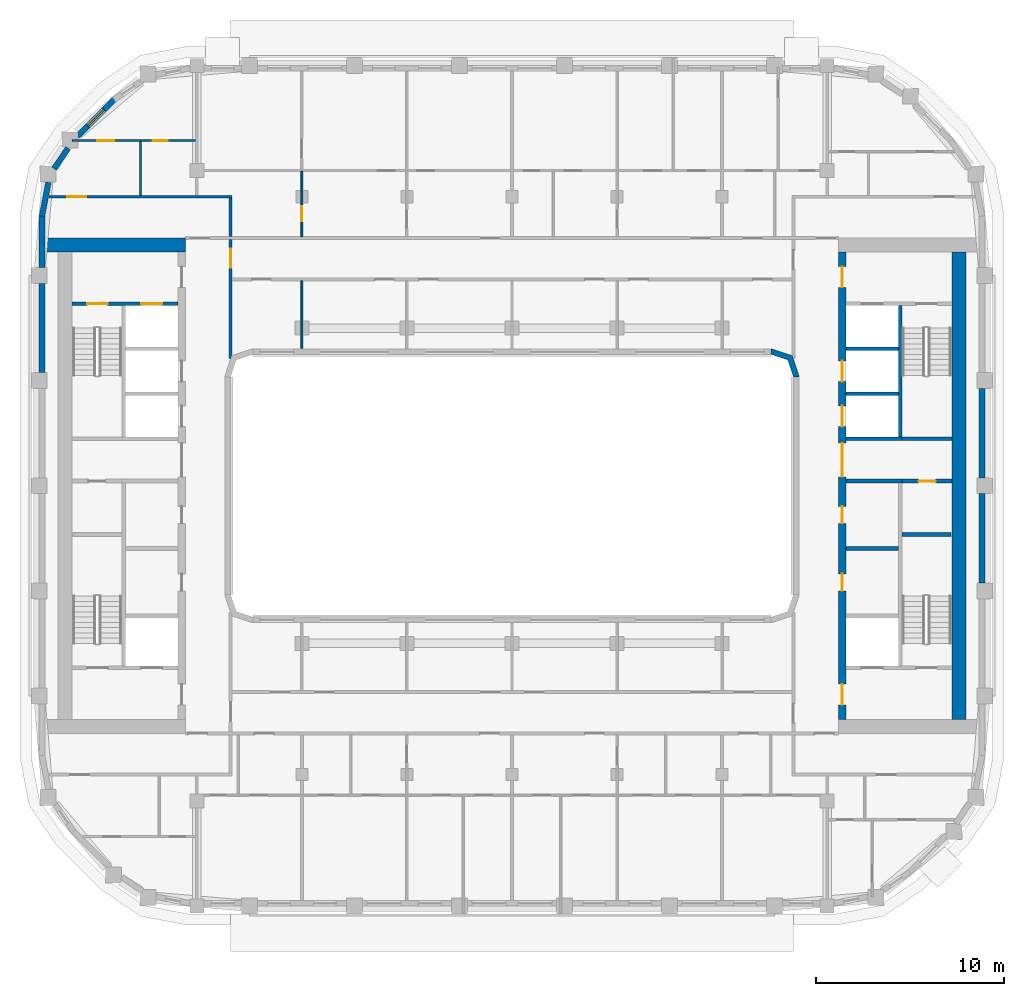
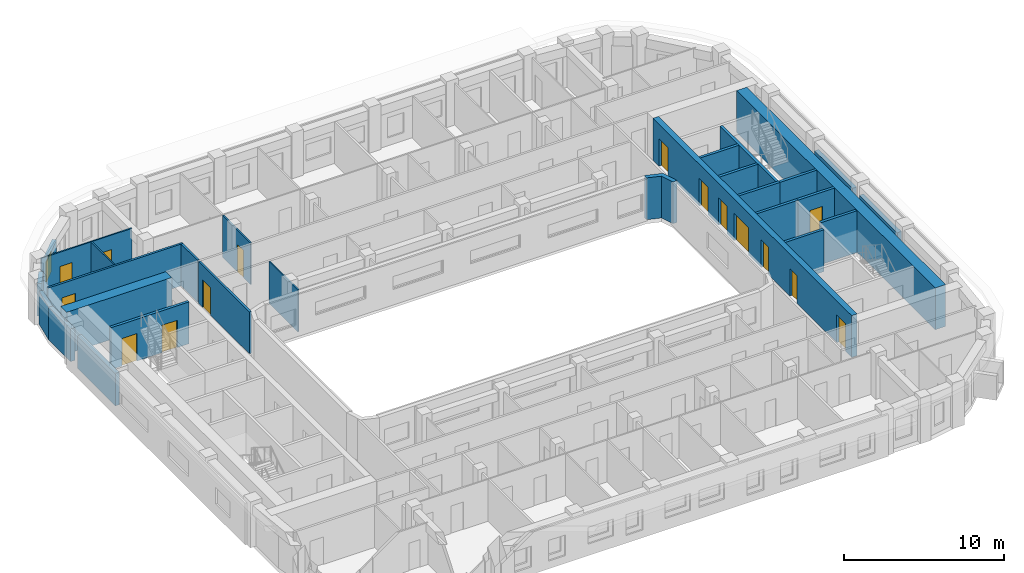
# One storey, part 6 of 21: 28 walls, 15 doors, 1 window, 16 openings.
"""IFC4 building model written with IfcOpenShell, lengths in metres."""

from ifc_helpers import new_model, si_unit, direction, frame, frame_2d, origin, place, context, subcontext, project, spatial, polyline, rectangle, outline, extrude, material, layer, layer_set, type_object, element, fill, save


model = new_model("IFC4")

# Units and contexts
model_context = context("Model", 3, precision=1e-05, world=origin(), true_north=direction((0.0, 1.0)))
body_context = subcontext(model_context, "Body", "Model", "MODEL_VIEW")
ifc_project = project(units=[si_unit("LENGTHUNIT", "METRE"), si_unit("AREAUNIT", "SQUARE_METRE"), si_unit("VOLUMEUNIT", "CUBIC_METRE"), si_unit("PLANEANGLEUNIT", "RADIAN"), si_unit("MASSUNIT", "GRAM", prefix="KILO")], contexts=[model_context])

# Site, building, storey
site_placement = place(None, origin())
site = spatial("IfcSite", under=ifc_project, at=site_placement, CompositionType="ELEMENT")
building_placement = place(site_placement, origin())
building = spatial("IfcBuilding", under=site, at=building_placement, Name="Kiln Ring Residences", CompositionType="ELEMENT")
storey_placement = place(building_placement, frame((0.0, 0.0, 220.39990234375)))
storey = spatial("IfcBuildingStorey", under=building, at=storey_placement, Name="L57", CompositionType="ELEMENT", Elevation=220.39990234375)

# Wall, opening, door
ifc_material_1 = material(Name="Gypsum board on steel studs", Category="steel")
ifc_layer_1 = layer(ifc_material_1, 0.199951171875)
ifc_layer_set_1 = layer_set([ifc_layer_1], Name="CORE-PARTITION-200")
wall_type_1 = type_object("IfcWallType", Name="CORE-PARTITION-200", PredefinedType="PARTITIONING", material=ifc_layer_set_1)
wall_1_placement = place(storey_placement, frame((20.800048828125, 0.25, 0.0), z_axis=(0.0, 0.0, 1.0), x_axis=(1.0, 0.0, 0.0)))
wall_1 = element("IfcWall", 1, at=wall_1_placement, inside=storey, type_object=wall_type_1, Name="Core partition east L57 1", PredefinedType="PARTITIONING", context=body_context, shape_type="SweptSolid", body=[
    extrude(rectangle(XDim=2.64990234375, YDim=0.199951171875, at=frame_2d((1.324951171875, 0.0))), origin(), (0.0, 0.0, 1.0), 3.2001953125),
])
opening_1_placement = place(wall_1_placement, frame((0.875, 0.0, 0.0)))
opening_1 = element("IfcOpeningElement", 2, at=opening_1_placement, cuts=wall_1, Name="Opening L57-CE12", PredefinedType="OPENING", context=body_context, shape_type="SweptSolid", body=[
    extrude(rectangle(XDim=0.89990234375, YDim=2.10009765625, at=frame_2d((0.449951171875, 1.050048828125))), frame((0.0, 0.10986328125, 0.0), z_axis=(0.0, -1.0, 0.0), x_axis=(1.0, 0.0, 0.0)), (0.0, 0.0, 1.0), 0.219970703125),
])
ifc_material_2 = material(Name="Steel door leaf", Category="steel")
door_type_1 = type_object("IfcDoorType", Name="CORE-DOOR-ROOM", OperationType="SINGLE_SWING_LEFT", PredefinedType="DOOR", material=ifc_material_2)
door_1_placement = place(opening_1_placement, origin())
door_1 = element("IfcDoor", 3, at=door_1_placement, inside=storey, type_object=door_type_1, Name="Cleaner's store L57-CE12", OperationType="SINGLE_SWING_LEFT", OverallHeight=2.10009765625, OverallWidth=0.89990234375, PredefinedType="DOOR", context=body_context, shape_type="SweptSolid", body=[
    extrude(rectangle(XDim=0.89990234375, YDim=2.10009765625, at=frame_2d((0.449951171875, 1.050048828125))), frame((0.0, 0.02490234375, 0.0), z_axis=(0.0, -1.0, 0.0), x_axis=(1.0, 0.0, 0.0)), (0.0, 0.0, 1.0), 0.050048828125),
])
fill(opening_1, door_1)

# Walls
wall_2_placement = place(storey_placement, frame((17.800048828125, -3.35009765625, 0.0), z_axis=(0.0, 0.0, 1.0), x_axis=(1.0, 0.0, 0.0)))
element("IfcWall", 4, at=wall_2_placement, inside=storey, type_object=wall_type_1, Name="Core partition east L57 2", PredefinedType="PARTITIONING", context=body_context, shape_type="SweptSolid", body=[
    extrude(rectangle(XDim=2.800048828125, YDim=0.199951171875, at=frame_2d((1.39990234375, 0.0))), origin(), (0.0, 0.0, 1.0), 3.2001953125),
])
ifc_material_3 = material(Name="Gypsum shaft wall system")
ifc_layer_2 = layer(ifc_material_3, 0.199951171875)
ifc_layer_set_2 = layer_set([ifc_layer_2], Name="CORE-SHAFT-WALL-200")
wall_type_2 = type_object("IfcWallType", Name="CORE-SHAFT-WALL-200", PredefinedType="PARTITIONING", material=ifc_layer_set_2)
for number, where, z_axis, x_axis, name in (
    (5, (17.800048828125, 0.25, 0.0), (0.0, 0.0, 1.0), (1.0, 0.0, 0.0), "Core partition east L57 4"),
    (6, (17.800048828125, 2.5, 0.0), (0.0, 0.0, 1.0), (1.0, 0.0, 0.0), "Core partition east L57 5"),
):
    element("IfcWall", number, at=place(storey_placement, frame(where, z_axis=z_axis, x_axis=x_axis)), inside=storey, type_object=wall_type_2, Name=name, PredefinedType="PARTITIONING", context=body_context, shape_type="SweptSolid", body=[
        extrude(rectangle(XDim=3.0, YDim=0.199951171875, at=frame_2d((1.5, 0.0))), origin(), (0.0, 0.0, 1.0), 3.2001953125),
    ])
for number, where, z_axis, x_axis, name in (
    (7, (17.800048828125, 4.89990234375, 0.0), (0.0, 0.0, 1.0), (1.0, 0.0, 0.0), "Core partition east L57 6"),
    (8, (17.800048828125, 7.300048828125, 0.0), (0.0, 0.0, 1.0), (1.0, 0.0, 0.0), "Core partition east L57 7"),
):
    element("IfcWall", number, at=place(storey_placement, frame(where, z_axis=z_axis, x_axis=x_axis)), inside=storey, type_object=wall_type_2, Name=name, PredefinedType="PARTITIONING", context=body_context, shape_type="SweptSolid", body=[
        extrude(rectangle(XDim=2.800048828125, YDim=0.199951171875, at=frame_2d((1.39990234375, 0.0))), origin(), (0.0, 0.0, 1.0), 3.2001953125),
    ])

# Wall, openings, doors
ifc_material_4 = material(Name="Concrete C40/50", Category="concrete")
ifc_layer_3 = layer(ifc_material_4, 0.199951171875)
ifc_layer_set_3 = layer_set([ifc_layer_3], Name="CORE-WALL-RC200")
wall_type_3 = type_object("IfcWallType", Name="CORE-WALL-RC200", PredefinedType="SHEAR", material=ifc_layer_set_3)
wall_3_placement = place(storey_placement, frame((-17.800048828125, 9.699951171875, 0.0), z_axis=(0.0, 0.0, 1.0), x_axis=(-1.0, 0.0, 0.0)))
wall_3 = element("IfcWall", 9, at=wall_3_placement, inside=storey, type_object=wall_type_3, Name="Core wall west L57 9", PredefinedType="SHEAR", context=body_context, shape_type="SweptSolid", body=[
    extrude(rectangle(XDim=5.64990234375, YDim=0.199951171875, at=frame_2d((2.824951171875, 0.0))), origin(), (0.0, 0.0, 1.0), 3.2001953125),
])
opening_2_placement = place(wall_3_placement, frame((0.85009765625, 0.0, 0.0)))
opening_2 = element("IfcOpeningElement", 10, at=opening_2_placement, cuts=wall_3, Name="Opening L57-CW06", PredefinedType="OPENING", context=body_context, shape_type="SweptSolid", body=[
    extrude(rectangle(XDim=1.10009765625, YDim=2.10009765625, at=frame_2d((0.550048828125, 1.050048828125))), frame((0.0, 0.10986328125, 0.0), z_axis=(0.0, -1.0, 0.0), x_axis=(1.0, 0.0, 0.0)), (0.0, 0.0, 1.0), 0.219970703125),
])
opening_3_placement = place(wall_3_placement, frame((3.75, 0.0, 0.0)))
opening_3 = element("IfcOpeningElement", 11, at=opening_3_placement, cuts=wall_3, Name="Opening L57-CW09", PredefinedType="OPENING", context=body_context, shape_type="SweptSolid", body=[
    extrude(rectangle(XDim=1.10009765625, YDim=2.10009765625, at=frame_2d((0.550048828125, 1.050048828125))), frame((0.0, 0.10986328125, 0.0), z_axis=(0.0, -1.0, 0.0), x_axis=(1.0, 0.0, 0.0)), (0.0, 0.0, 1.0), 0.219970703125),
])
ifc_material_5 = material(Name="Steel door leaf", Category="steel")
door_type_2 = type_object("IfcDoorType", Name="CORE-DOOR-LD", OperationType="DOUBLE_DOOR_SLIDING", PredefinedType="DOOR", material=ifc_material_5)
door_2_placement = place(opening_2_placement, origin())
door_2 = element("IfcDoor", 12, at=door_2_placement, inside=storey, type_object=door_type_2, Name="LD W-FF L57-CW06", OperationType="DOUBLE_DOOR_SLIDING", OverallHeight=2.10009765625, OverallWidth=1.10009765625, PredefinedType="DOOR", context=body_context, shape_type="SweptSolid", body=[
    extrude(rectangle(XDim=1.10009765625, YDim=2.10009765625, at=frame_2d((0.550048828125, 1.050048828125))), frame((0.0, 0.02490234375, 0.0), z_axis=(0.0, -1.0, 0.0), x_axis=(1.0, 0.0, 0.0)), (0.0, 0.0, 1.0), 0.050048828125),
])
fill(opening_2, door_2)
ifc_material_6 = material(Name="Steel door leaf", Category="steel")
door_type_3 = type_object("IfcDoorType", Name="CORE-DOOR-STAIR", OperationType="SINGLE_SWING_LEFT", PredefinedType="DOOR", material=ifc_material_6)
door_3_placement = place(opening_3_placement, origin())
door_3 = element("IfcDoor", 13, at=door_3_placement, inside=storey, type_object=door_type_3, Name="Stair W-STN L57-CW09", OperationType="SINGLE_SWING_LEFT", OverallHeight=2.10009765625, OverallWidth=1.10009765625, PredefinedType="DOOR", context=body_context, shape_type="SweptSolid", body=[
    extrude(rectangle(XDim=1.10009765625, YDim=2.10009765625, at=frame_2d((0.550048828125, 1.050048828125))), frame((0.0, 0.02490234375, 0.0), z_axis=(0.0, -1.0, 0.0), x_axis=(1.0, 0.0, 0.0)), (0.0, 0.0, 1.0), 0.050048828125),
])
fill(opening_3, door_3)

# Walls
wall_4_placement = place(storey_placement, frame((20.699951171875, 2.60009765625, 0.0), z_axis=(0.0, 0.0, 1.0), x_axis=(0.0, 1.0, 0.0)))
element("IfcWall", 14, at=wall_4_placement, inside=storey, type_object=wall_type_3, Name="Core wall east L57 1", PredefinedType="SHEAR", context=body_context, shape_type="SweptSolid", body=[
    extrude(rectangle(XDim=7.0, YDim=0.199951171875, at=frame_2d((3.5, 0.0))), origin(), (0.0, 0.0, 1.0), 3.2001953125),
])
wall_5_placement = place(storey_placement, frame((20.800048828125, 2.5, 0.0), z_axis=(0.0, 0.0, 1.0), x_axis=(1.0, 0.0, 0.0)))
element("IfcWall", 15, at=wall_5_placement, inside=storey, type_object=wall_type_3, Name="Core wall east L57 3", PredefinedType="SHEAR", context=body_context, shape_type="SweptSolid", body=[
    extrude(rectangle(XDim=2.64990234375, YDim=0.199951171875, at=frame_2d((1.324951171875, 0.0))), origin(), (0.0, 0.0, 1.0), 3.2001953125),
])
wall_6_placement = place(storey_placement, frame((20.800048828125, -2.60009765625, 0.0), z_axis=(0.0, 0.0, 1.0), x_axis=(1.0, 0.0, 0.0)))
element("IfcWall", 16, at=wall_6_placement, inside=storey, type_object=wall_type_3, Name="Core wall east L57 10", PredefinedType="SHEAR", context=body_context, shape_type="SweptSolid", body=[
    extrude(rectangle(XDim=2.599853515625, YDim=0.199951171875, at=frame_2d((1.2998046875, 0.0))), origin(), (0.0, 0.0, 1.0), 3.2001953125),
])

# Wall, openings, doors
ifc_material_7 = material(Name="Concrete C60/75", Category="concrete")
ifc_layer_4 = layer(ifc_material_7, 0.39990234375)
ifc_layer_set_4 = layer_set([ifc_layer_4], Name="CORE-WALL-RC400")
wall_type_4 = type_object("IfcWallType", Name="CORE-WALL-RC400", PredefinedType="SHEAR", material=ifc_layer_set_4)
wall_7_placement = place(storey_placement, frame((17.60009765625, -12.449951171875, 0.0), z_axis=(0.0, 0.0, 1.0), x_axis=(0.0, 1.0, 0.0)))
wall_7 = element("IfcWall", 17, at=wall_7_placement, inside=storey, type_object=wall_type_4, Name="Core wall east L57 6", PredefinedType="SHEAR", context=body_context, shape_type="SweptSolid", body=[
    extrude(rectangle(XDim=24.89990234375, YDim=0.39990234375, at=frame_2d((12.449951171875, 0.0))), origin(), (0.0, 0.0, 1.0), 3.2001953125),
])
opening_4_placement = place(wall_7_placement, frame((6.85009765625, 0.0, 0.0)))
opening_4 = element("IfcOpeningElement", 18, at=opening_4_placement, cuts=wall_7, Name="Opening L57-CE02", PredefinedType="OPENING", context=body_context, shape_type="SweptSolid", body=[
    extrude(rectangle(XDim=0.89990234375, YDim=2.10009765625, at=frame_2d((0.449951171875, 1.050048828125))), frame((0.0, 0.2099609375, 0.0), z_axis=(0.0, -1.0, 0.0), x_axis=(1.0, 0.0, 0.0)), (0.0, 0.0, 1.0), 0.419921875),
])
opening_5_placement = place(wall_7_placement, frame((10.449951171875, 0.0, 0.0)))
opening_5 = element("IfcOpeningElement", 19, at=opening_5_placement, cuts=wall_7, Name="Opening L57-CE03", PredefinedType="OPENING", context=body_context, shape_type="SweptSolid", body=[
    extrude(rectangle(XDim=0.89990234375, YDim=2.10009765625, at=frame_2d((0.449951171875, 1.050048828125))), frame((0.0, 0.2099609375, 0.0), z_axis=(0.0, -1.0, 0.0), x_axis=(1.0, 0.0, 0.0)), (0.0, 0.0, 1.0), 0.419921875),
])
opening_6_placement = place(wall_7_placement, frame((15.60009765625, 0.0, 0.0)))
opening_6 = element("IfcOpeningElement", 20, at=opening_6_placement, cuts=wall_7, Name="Opening L57-CE04", PredefinedType="OPENING", context=body_context, shape_type="SweptSolid", body=[
    extrude(rectangle(XDim=1.10009765625, YDim=2.10009765625, at=frame_2d((0.550048828125, 1.050048828125))), frame((0.0, 0.2099609375, 0.0), z_axis=(0.0, -1.0, 0.0), x_axis=(1.0, 0.0, 0.0)), (0.0, 0.0, 1.0), 0.419921875),
])
opening_7_placement = place(wall_7_placement, frame((18.0, 0.0, 0.0)))
opening_7 = element("IfcOpeningElement", 21, at=opening_7_placement, cuts=wall_7, Name="Opening L57-CE05", PredefinedType="OPENING", context=body_context, shape_type="SweptSolid", body=[
    extrude(rectangle(XDim=1.10009765625, YDim=2.10009765625, at=frame_2d((0.550048828125, 1.050048828125))), frame((0.0, 0.2099609375, 0.0), z_axis=(0.0, -1.0, 0.0), x_axis=(1.0, 0.0, 0.0)), (0.0, 0.0, 1.0), 0.419921875),
])
opening_8_placement = place(wall_7_placement, frame((23.02490234375, 0.0, 0.0)))
opening_8 = element("IfcOpeningElement", 22, at=opening_8_placement, cuts=wall_7, Name="Opening L57-CE07", PredefinedType="OPENING", context=body_context, shape_type="SweptSolid", body=[
    extrude(rectangle(XDim=1.10009765625, YDim=2.10009765625, at=frame_2d((0.550048828125, 1.050048828125))), frame((0.0, 0.2099609375, 0.0), z_axis=(0.0, -1.0, 0.0), x_axis=(1.0, 0.0, 0.0)), (0.0, 0.0, 1.0), 0.419921875),
])
opening_9_placement = place(wall_7_placement, frame((0.77490234375, 0.0, 0.0)))
opening_9 = element("IfcOpeningElement", 23, at=opening_9_placement, cuts=wall_7, Name="Opening L57-CE08", PredefinedType="OPENING", context=body_context, shape_type="SweptSolid", body=[
    extrude(rectangle(XDim=1.10009765625, YDim=2.10009765625, at=frame_2d((0.550048828125, 1.050048828125))), frame((0.0, 0.2099609375, 0.0), z_axis=(0.0, -1.0, 0.0), x_axis=(1.0, 0.0, 0.0)), (0.0, 0.0, 1.0), 0.419921875),
])
opening_10_placement = place(wall_7_placement, frame((12.925048828125, 0.0, 0.0)))
opening_10 = element("IfcOpeningElement", 24, at=opening_10_placement, cuts=wall_7, Name="Opening L57-CE11", PredefinedType="OPENING", context=body_context, shape_type="SweptSolid", body=[
    extrude(rectangle(XDim=1.800048828125, YDim=2.10009765625, at=frame_2d((0.89990234375, 1.050048828125))), frame((0.0, 0.2099609375, 0.0), z_axis=(0.0, -1.0, 0.0), x_axis=(1.0, 0.0, 0.0)), (0.0, 0.0, 1.0), 0.419921875),
])
door_4_placement = place(opening_6_placement, origin())
door_4 = element("IfcDoor", 25, at=door_4_placement, inside=storey, type_object=door_type_2, Name="LD E-M1 L57-CE04", OperationType="DOUBLE_DOOR_SLIDING", OverallHeight=2.10009765625, OverallWidth=1.10009765625, PredefinedType="DOOR", context=body_context, shape_type="SweptSolid", body=[
    extrude(rectangle(XDim=1.10009765625, YDim=2.10009765625, at=frame_2d((0.550048828125, 1.050048828125))), frame((0.0, 0.02490234375, 0.0), z_axis=(0.0, -1.0, 0.0), x_axis=(1.0, 0.0, 0.0)), (0.0, 0.0, 1.0), 0.050048828125),
])
fill(opening_6, door_4)
door_5_placement = place(opening_7_placement, origin())
door_5 = element("IfcDoor", 26, at=door_5_placement, inside=storey, type_object=door_type_2, Name="LD E-M2 L57-CE05", OperationType="DOUBLE_DOOR_SLIDING", OverallHeight=2.10009765625, OverallWidth=1.10009765625, PredefinedType="DOOR", context=body_context, shape_type="SweptSolid", body=[
    extrude(rectangle(XDim=1.10009765625, YDim=2.10009765625, at=frame_2d((0.550048828125, 1.050048828125))), frame((0.0, 0.02490234375, 0.0), z_axis=(0.0, -1.0, 0.0), x_axis=(1.0, 0.0, 0.0)), (0.0, 0.0, 1.0), 0.050048828125),
])
fill(opening_7, door_5)
ifc_material_8 = material(Name="Steel door leaf", Category="steel")
door_type_4 = type_object("IfcDoorType", Name="CORE-DOOR-LOBBY", OperationType="SINGLE_SWING_LEFT", PredefinedType="DOOR", material=ifc_material_8)
door_6_placement = place(opening_8_placement, origin())
door_6 = element("IfcDoor", 27, at=door_6_placement, inside=storey, type_object=door_type_4, Name="FFL L57-CE07", OperationType="SINGLE_SWING_LEFT", OverallHeight=2.10009765625, OverallWidth=1.10009765625, PredefinedType="DOOR", context=body_context, shape_type="SweptSolid", body=[
    extrude(rectangle(XDim=1.10009765625, YDim=2.10009765625, at=frame_2d((0.550048828125, 1.050048828125))), frame((0.0, 0.02490234375, 0.0), z_axis=(0.0, -1.0, 0.0), x_axis=(1.0, 0.0, 0.0)), (0.0, 0.0, 1.0), 0.050048828125),
])
fill(opening_8, door_6)
door_7_placement = place(opening_9_placement, origin())
door_7 = element("IfcDoor", 28, at=door_7_placement, inside=storey, type_object=door_type_4, Name="SVL L57-CE08", OperationType="SINGLE_SWING_RIGHT", OverallHeight=2.10009765625, OverallWidth=1.10009765625, PredefinedType="DOOR", context=body_context, shape_type="SweptSolid", body=[
    extrude(rectangle(XDim=1.10009765625, YDim=2.10009765625, at=frame_2d((0.550048828125, 1.050048828125))), frame((0.0, 0.02490234375, 0.0), z_axis=(0.0, -1.0, 0.0), x_axis=(1.0, 0.0, 0.0)), (0.0, 0.0, 1.0), 0.050048828125),
])
fill(opening_9, door_7)
ifc_material_9 = material(Name="Steel door leaf", Category="steel")
door_type_5 = type_object("IfcDoorType", Name="CORE-DOOR-PASS", OperationType="DOUBLE_DOOR_SINGLE_SWING", PredefinedType="DOOR", material=ifc_material_9)
door_8_placement = place(opening_10_placement, origin())
door_8 = element("IfcDoor", 29, at=door_8_placement, inside=storey, type_object=door_type_5, Name="Core passage L57-CE11", OperationType="DOUBLE_DOOR_SINGLE_SWING", OverallHeight=2.10009765625, OverallWidth=1.800048828125, PredefinedType="DOOR", context=body_context, shape_type="SweptSolid", body=[
    extrude(rectangle(XDim=1.800048828125, YDim=2.10009765625, at=frame_2d((0.89990234375, 1.050048828125))), frame((0.0, 0.02490234375, 0.0), z_axis=(0.0, -1.0, 0.0), x_axis=(1.0, 0.0, 0.0)), (0.0, 0.0, 1.0), 0.050048828125),
])
fill(opening_10, door_8)
door_9_placement = place(opening_4_placement, origin())
door_9 = element("IfcDoor", 30, at=door_9_placement, inside=storey, type_object=door_type_1, Name="Housekeeping store L57-CE02", OperationType="SINGLE_SWING_LEFT", OverallHeight=2.10009765625, OverallWidth=0.89990234375, PredefinedType="DOOR", context=body_context, shape_type="SweptSolid", body=[
    extrude(rectangle(XDim=0.89990234375, YDim=2.10009765625, at=frame_2d((0.449951171875, 1.050048828125))), frame((0.0, 0.02490234375, 0.0), z_axis=(0.0, -1.0, 0.0), x_axis=(1.0, 0.0, 0.0)), (0.0, 0.0, 1.0), 0.050048828125),
])
fill(opening_4, door_9)
door_10_placement = place(opening_5_placement, origin())
door_10 = element("IfcDoor", 31, at=door_10_placement, inside=storey, type_object=door_type_1, Name="Linen store L57-CE03", OperationType="SINGLE_SWING_RIGHT", OverallHeight=2.10009765625, OverallWidth=0.89990234375, PredefinedType="DOOR", context=body_context, shape_type="SweptSolid", body=[
    extrude(rectangle(XDim=0.89990234375, YDim=2.10009765625, at=frame_2d((0.449951171875, 1.050048828125))), frame((0.0, 0.02490234375, 0.0), z_axis=(0.0, -1.0, 0.0), x_axis=(1.0, 0.0, 0.0)), (0.0, 0.0, 1.0), 0.050048828125),
])
fill(opening_5, door_10)

# Walls
ifc_material_10 = material(Name="Concrete C60/75", Category="concrete")
ifc_layer_5 = layer(ifc_material_10, 0.75)
ifc_layer_set_5 = layer_set([ifc_layer_5], Name="CORE-WALL-RC750")
wall_type_5 = type_object("IfcWallType", Name="CORE-WALL-RC750", PredefinedType="SHEAR", material=ifc_layer_set_5)
wall_8_placement = place(storey_placement, frame((-17.39990234375, 12.824951171875, 0.0), z_axis=(0.0, 0.0, 1.0), x_axis=(-1.0, 0.0, 0.0)))
element("IfcWall", 32, at=wall_8_placement, inside=storey, type_object=wall_type_5, Name="Core wall west L57 4", PredefinedType="SHEAR", context=body_context, shape_type="SweptSolid", body=[
    extrude(rectangle(XDim=7.60009765625, YDim=0.75, at=frame_2d((3.800048828125, 0.0))), origin(), (0.0, 0.0, 1.0), 3.2001953125),
])
wall_9_placement = place(storey_placement, frame((23.824951171875, -12.449951171875, 0.0), z_axis=(0.0, 0.0, 1.0), x_axis=(0.0, 1.0, 0.0)))
element("IfcWall", 33, at=wall_9_placement, inside=storey, type_object=wall_type_5, Name="Core wall east L57 7", PredefinedType="SHEAR", context=body_context, shape_type="SweptSolid", body=[
    extrude(rectangle(XDim=24.89990234375, YDim=0.75, at=frame_2d((12.449951171875, 0.0))), origin(), (0.0, 0.0, 1.0), 3.2001953125),
])
ifc_material_11 = material(Name="Brick masonry, dark clay brick", Category="masonry")
ifc_layer_6 = layer(ifc_material_11, 0.300048828125)
ifc_layer_set_6 = layer_set([ifc_layer_6], Name="EW-300 BRICK WALL")
wall_type_6 = type_object("IfcWallType", Name="EW-300 BRICK WALL", PredefinedType="SOLIDWALL", material=ifc_layer_set_6)
for number, where, z_axis, x_axis, name in (
    (34, (25.050048828125, -5.175048828125, 0.0), (0.0, 0.0, 1.0), (0.0, 1.0, 0.0), "Facade wall L57 18"),
    (35, (25.050048828125, 0.425048828125, 0.0), (0.0, 0.0, 1.0), (0.0, 1.0, 0.0), "Facade wall L57 19"),
):
    element("IfcWall", number, at=place(storey_placement, frame(where, z_axis=z_axis, x_axis=x_axis)), inside=storey, type_object=wall_type_6, Name=name, PredefinedType="SOLIDWALL", context=body_context, shape_type="SweptSolid", body=[
        extrude(rectangle(XDim=4.75, YDim=0.300048828125, at=frame_2d((2.375, 0.0))), origin(), (0.0, 0.0, 1.0), 2.5),
    ])

# Wall, opening, window
wall_10_placement = place(storey_placement, frame((-21.19091796875, 20.596923828125, 0.0), z_axis=(0.0, 0.0, 1.0), x_axis=(-0.707150767798, -0.707062791838, 0.0)))
wall_10 = element("IfcWall", 36, at=wall_10_placement, inside=storey, type_object=wall_type_6, Name="Facade wall L57 36", PredefinedType="SOLIDWALL", context=body_context, shape_type="SweptSolid", body=[
    extrude(rectangle(XDim=2.775146484375, YDim=0.300048828125, at=frame_2d((1.3876953125, 0.0))), origin(), (0.0, 0.0, 1.0), 2.5),
])
opening_11_placement = place(wall_10_placement, frame((0.78759765625, 0.0, 0.60009765625)))
opening_11 = element("IfcOpeningElement", 37, at=opening_11_placement, cuts=wall_10, Name="Opening W1", PredefinedType="OPENING", context=body_context, shape_type="SweptSolid", body=[
    extrude(rectangle(XDim=1.199951171875, YDim=1.550048828125, at=frame_2d((0.60009765625, 0.77490234375))), frame((0.0, 0.159912109375, 0.0), z_axis=(0.0, -1.0, 0.0), x_axis=(1.0, 0.0, 0.0)), (0.0, 0.0, 1.0), 0.320068359375),
])
ifc_material_12 = material(Name="Aluminium frame with double glazing", Category="aluminium")
window_type = type_object("IfcWindowType", Name="WINDOW 1200 x 1550", PartitioningType="SINGLE_PANEL", PredefinedType="WINDOW", material=ifc_material_12)
window_placement = place(opening_11_placement, origin())
window = element("IfcWindow", 38, at=window_placement, inside=storey, type_object=window_type, Name="Window L57 33", OverallHeight=1.550048828125, OverallWidth=1.199951171875, PartitioningType="SINGLE_PANEL", PredefinedType="WINDOW", context=body_context, shape_type="SweptSolid", body=[
    extrude(rectangle(XDim=1.199951171875, YDim=1.550048828125, at=frame_2d((0.60009765625, 0.77490234375))), frame((0.0, 0.030029296875, 0.0), z_axis=(0.0, -1.0, 0.0), x_axis=(1.0, 0.0, 0.0)), (0.0, 0.0, 1.0), 0.06005859375),
])
fill(opening_11, window)

# Walls
wall_11_placement = place(storey_placement, frame((-23.662109375, 17.995849609375, 0.0), z_axis=(0.0, 0.0, 1.0), x_axis=(-0.562149004813, -0.827035970432, 0.0)))
element("IfcWall", 39, at=wall_11_placement, inside=storey, type_object=wall_type_6, Name="Facade wall L57 37", PredefinedType="SOLIDWALL", context=body_context, shape_type="SweptSolid", body=[
    extrude(rectangle(XDim=1.3271484375, YDim=0.300048828125, at=frame_2d((0.66357421875, 0.0))), origin(), (0.0, 0.0, 1.0), 2.5),
])
wall_12_placement = place(storey_placement, frame((-24.70947265625, 16.170654296875, 0.0), z_axis=(0.0, 0.0, 1.0), x_axis=(-0.187442908742, -0.982275499014, 0.0)))
element("IfcWall", 40, at=wall_12_placement, inside=storey, type_object=wall_type_6, Name="Facade wall L57 38", PredefinedType="SOLIDWALL", context=body_context, shape_type="SweptSolid", body=[
    extrude(rectangle(XDim=1.831298828125, YDim=0.300048828125, at=frame_2d((0.91552734375, 0.0))), origin(), (0.0, 0.0, 1.0), 2.5),
])
wall_13_placement = place(storey_placement, frame((-25.050048828125, 14.39990234375, 0.0), z_axis=(0.0, 0.0, 1.0), x_axis=(0.0, -1.0, 0.0)))
element("IfcWall", 41, at=wall_13_placement, inside=storey, type_object=wall_type_6, Name="Facade wall L57 39", PredefinedType="SOLIDWALL", context=body_context, shape_type="SweptSolid", body=[
    extrude(rectangle(XDim=2.77490234375, YDim=0.300048828125, at=frame_2d((1.387451171875, 0.0))), origin(), (0.0, 0.0, 1.0), 2.5),
])
wall_14_placement = place(storey_placement, frame((-25.050048828125, 10.77490234375, 0.0), z_axis=(0.0, 0.0, 1.0), x_axis=(0.0, -1.0, 0.0)))
element("IfcWall", 42, at=wall_14_placement, inside=storey, type_object=wall_type_6, Name="Facade wall L57 40", PredefinedType="SOLIDWALL", context=body_context, shape_type="SweptSolid", body=[
    extrude(rectangle(XDim=4.75, YDim=0.300048828125, at=frame_2d((2.375, 0.0))), origin(), (0.0, 0.0, 1.0), 2.5),
])
wall_15_placement = place(storey_placement, origin())
element("IfcWall", 43, at=wall_15_placement, inside=storey, type_object=wall_type_6, Name="Corner wall L57 2", PredefinedType="SOLIDWALL", context=body_context, shape_type="SweptSolid", body=[
    extrude(outline(polyline([(14.937255859375, 6.937255859375), (13.8486328125, 7.300048828125), (13.800048828125, 7.300048828125), (13.800048828125, 7.0), (14.699951171875, 6.699951171875), (15.0, 5.800048828125), (15.300048828125, 5.800048828125), (15.300048828125, 5.8486328125), (14.937255859375, 6.937255859375)])), origin(), (0.0, 0.0, 1.0), 3.2001953125),
])

# Wall, openings, doors
ifc_material_13 = material(Name="Gypsum board on steel studs", Category="steel")
ifc_layer_7 = layer(ifc_material_13, 0.10009765625)
ifc_layer_set_7 = layer_set([ifc_layer_7], Name="PARTITION-100")
wall_type_7 = type_object("IfcWallType", Name="PARTITION-100", PredefinedType="PARTITIONING", material=ifc_layer_set_7)
wall_16_placement = place(storey_placement, frame((-23.429931640625, 18.39990234375, 0.0), z_axis=(0.0, 0.0, 1.0), x_axis=(1.0, 0.0, 0.0)))
wall_16 = element("IfcWall", 44, at=wall_16_placement, inside=storey, type_object=wall_type_7, Name="Partition 013", PredefinedType="PARTITIONING", context=body_context, shape_type="SweptSolid", body=[
    extrude(rectangle(XDim=6.554931640625, YDim=0.10009765625, at=frame_2d((3.27734375, 0.0))), origin(), (0.0, 0.0, 1.0), 3.2001953125),
])
opening_12_placement = place(wall_16_placement, frame((4.280029296875, 0.0, 0.0)))
opening_12 = element("IfcOpeningElement", 45, at=opening_12_placement, cuts=wall_16, Name="Opening L57-D035", PredefinedType="OPENING", context=body_context, shape_type="SweptSolid", body=[
    extrude(rectangle(XDim=0.800048828125, YDim=2.10009765625, at=frame_2d((0.39990234375, 1.050048828125))), frame((0.0, 0.06005859375, 0.0), z_axis=(0.0, -1.0, 0.0), x_axis=(1.0, 0.0, 0.0)), (0.0, 0.0, 1.0), 0.1201171875),
])
opening_13_placement = place(wall_16_placement, frame((1.330078125, 0.0, 0.0)))
opening_13 = element("IfcOpeningElement", 46, at=opening_13_placement, cuts=wall_16, Name="Opening L57-D036", PredefinedType="OPENING", context=body_context, shape_type="SweptSolid", body=[
    extrude(rectangle(XDim=0.89990234375, YDim=2.10009765625, at=frame_2d((0.449951171875, 1.050048828125))), frame((0.0, 0.06005859375, 0.0), z_axis=(0.0, -1.0, 0.0), x_axis=(1.0, 0.0, 0.0)), (0.0, 0.0, 1.0), 0.1201171875),
])
ifc_material_14 = material(Name="Timber door leaf", Category="wood")
door_type_6 = type_object("IfcDoorType", Name="FLAT-DOOR-800-PL", OperationType="SINGLE_SWING_LEFT", PredefinedType="DOOR", material=ifc_material_14)
door_11_placement = place(opening_12_placement, origin())
door_11 = element("IfcDoor", 47, at=door_11_placement, inside=storey, type_object=door_type_6, Name="Door L57-D035", OperationType="SINGLE_SWING_LEFT", OverallHeight=2.10009765625, OverallWidth=0.800048828125, PredefinedType="DOOR", context=body_context, shape_type="SweptSolid", body=[
    extrude(rectangle(XDim=0.800048828125, YDim=2.10009765625, at=frame_2d((0.39990234375, 1.050048828125))), frame((0.0, 0.02490234375, 0.0), z_axis=(0.0, -1.0, 0.0), x_axis=(1.0, 0.0, 0.0)), (0.0, 0.0, 1.0), 0.050048828125),
])
fill(opening_12, door_11)
ifc_material_15 = material(Name="Timber door leaf", Category="wood")
door_type_7 = type_object("IfcDoorType", Name="FLAT-DOOR-900-PL", OperationType="SINGLE_SWING_LEFT", PredefinedType="DOOR", material=ifc_material_15)
door_12_placement = place(opening_13_placement, origin())
door_12 = element("IfcDoor", 48, at=door_12_placement, inside=storey, type_object=door_type_7, Name="Door L57-D036", OperationType="SINGLE_SWING_RIGHT", OverallHeight=2.10009765625, OverallWidth=0.89990234375, PredefinedType="DOOR", context=body_context, shape_type="SweptSolid", body=[
    extrude(rectangle(XDim=0.89990234375, YDim=2.10009765625, at=frame_2d((0.449951171875, 1.050048828125))), frame((0.0, 0.02490234375, 0.0), z_axis=(0.0, -1.0, 0.0), x_axis=(1.0, 0.0, 0.0)), (0.0, 0.0, 1.0), 0.050048828125),
])
fill(opening_13, door_12)

# Walls
wall_17_placement = place(storey_placement, frame((-19.800048828125, 15.47509765625, 0.0), z_axis=(0.0, 0.0, 1.0), x_axis=(0.0, 1.0, 0.0)))
element("IfcWall", 49, at=wall_17_placement, inside=storey, type_object=wall_type_7, Name="Partition 014", PredefinedType="PARTITIONING", context=body_context, shape_type="SweptSolid", body=[
    extrude(rectangle(XDim=2.875, YDim=0.10009765625, at=frame_2d((1.4375, 0.0))), origin(), (0.0, 0.0, 1.0), 3.2001953125),
])
wall_18_placement = place(storey_placement, frame((-11.199951171875, 7.320068359375, 0.0), z_axis=(0.0, 0.0, 1.0), x_axis=(0.0, 1.0, 0.0)))
element("IfcWall", 50, at=wall_18_placement, inside=storey, type_object=wall_type_7, Name="Partition 024", PredefinedType="PARTITIONING", context=body_context, shape_type="SweptSolid", body=[
    extrude(rectangle(XDim=3.60498046875, YDim=0.10009765625, at=frame_2d((1.802490234375, 0.0))), origin(), (0.0, 0.0, 1.0), 3.2001953125),
])

# Wall, opening, door
wall_19_placement = place(storey_placement, frame((-11.199951171875, 13.27490234375, 0.0), z_axis=(0.0, 0.0, 1.0), x_axis=(0.0, 1.0, 0.0)))
wall_19 = element("IfcWall", 51, at=wall_19_placement, inside=storey, type_object=wall_type_7, Name="Partition 025", PredefinedType="PARTITIONING", context=body_context, shape_type="SweptSolid", body=[
    extrude(rectangle(XDim=3.47509765625, YDim=0.10009765625, at=frame_2d((1.737548828125, 0.0))), origin(), (0.0, 0.0, 1.0), 3.2001953125),
])
opening_14_placement = place(wall_19_placement, frame((0.824951171875, 0.0, 0.0)))
opening_14 = element("IfcOpeningElement", 52, at=opening_14_placement, cuts=wall_19, Name="Opening L57-D017", PredefinedType="OPENING", context=body_context, shape_type="SweptSolid", body=[
    extrude(rectangle(XDim=0.800048828125, YDim=2.10009765625, at=frame_2d((0.39990234375, 1.050048828125))), frame((0.0, 0.06005859375, 0.0), z_axis=(0.0, -1.0, 0.0), x_axis=(1.0, 0.0, 0.0)), (0.0, 0.0, 1.0), 0.1201171875),
])
door_13_placement = place(opening_14_placement, origin())
door_13 = element("IfcDoor", 53, at=door_13_placement, inside=storey, type_object=door_type_6, Name="Door L57-D017", OperationType="SINGLE_SWING_RIGHT", OverallHeight=2.10009765625, OverallWidth=0.800048828125, PredefinedType="DOOR", context=body_context, shape_type="SweptSolid", body=[
    extrude(rectangle(XDim=0.800048828125, YDim=2.10009765625, at=frame_2d((0.39990234375, 1.050048828125))), frame((0.0, 0.02490234375, 0.0), z_axis=(0.0, -1.0, 0.0), x_axis=(1.0, 0.0, 0.0)), (0.0, 0.0, 1.0), 0.050048828125),
])
fill(opening_14, door_13)

ifc_material_16 = material(Name="Brick masonry partition", Category="masonry")
ifc_layer_8 = layer(ifc_material_16, 0.14990234375)
ifc_layer_set_8 = layer_set([ifc_layer_8], Name="PARTITION-150-ei60")
wall_type_8 = type_object("IfcWallType", Name="PARTITION-150-ei60", PredefinedType="PARTITIONING", material=ifc_layer_set_8)
wall_20_placement = place(storey_placement, frame((-24.683837890625, 15.39990234375, 0.0), z_axis=(0.0, 0.0, 1.0), x_axis=(1.0, 0.0, 0.0)))
wall_20 = element("IfcWall", 54, at=wall_20_placement, inside=storey, type_object=wall_type_8, Name="Partition 009", PredefinedType="PARTITIONING", context=body_context, shape_type="SweptSolid", body=[
    extrude(rectangle(XDim=9.7587890625, YDim=0.14990234375, at=frame_2d((4.87939453125, 0.0))), origin(), (0.0, 0.0, 1.0), 3.2001953125),
])
opening_15_placement = place(wall_20_placement, frame((0.98388671875, 0.0, 0.0)))
opening_15 = element("IfcOpeningElement", 55, at=opening_15_placement, cuts=wall_20, Name="Opening L57-D034", PredefinedType="OPENING", context=body_context, shape_type="SweptSolid", body=[
    extrude(rectangle(XDim=1.0, YDim=2.10009765625, at=frame_2d((0.5, 1.050048828125))), frame((0.0, 0.0849609375, 0.0), z_axis=(0.0, -1.0, 0.0), x_axis=(1.0, 0.0, 0.0)), (0.0, 0.0, 1.0), 0.169921875),
])
ifc_material_17 = material(Name="Steel faced fire door leaf", Category="steel")
door_type_8 = type_object("IfcDoorType", Name="FLAT-DOOR-1000-FR", OperationType="SINGLE_SWING_LEFT", PredefinedType="DOOR", material=ifc_material_17)
door_14_placement = place(opening_15_placement, origin())
door_14 = element("IfcDoor", 56, at=door_14_placement, inside=storey, type_object=door_type_8, Name="Door L57-D034", OperationType="SINGLE_SWING_RIGHT", OverallHeight=2.10009765625, OverallWidth=1.0, PredefinedType="DOOR", context=body_context, shape_type="SweptSolid", body=[
    extrude(rectangle(XDim=1.0, YDim=2.10009765625, at=frame_2d((0.5, 1.050048828125))), frame((0.0, 0.02490234375, 0.0), z_axis=(0.0, -1.0, 0.0), x_axis=(1.0, 0.0, 0.0)), (0.0, 0.0, 1.0), 0.050048828125),
])
fill(opening_15, door_14)

wall_21_placement = place(storey_placement, frame((-15.0, 6.768798828125, 0.0), z_axis=(0.0, 0.0, 1.0), x_axis=(0.0, 1.0, 0.0)))
wall_21 = element("IfcWall", 57, at=wall_21_placement, inside=storey, type_object=wall_type_8, Name="Partition 020", PredefinedType="PARTITIONING", context=body_context, shape_type="SweptSolid", body=[
    extrude(rectangle(XDim=6.356201171875, YDim=0.14990234375, at=frame_2d((3.17822265625, 0.0))), origin(), (0.0, 0.0, 1.0), 3.2001953125),
])
opening_16_placement = place(wall_21_placement, frame((4.860107421875, 0.0, 0.0)))
opening_16 = element("IfcOpeningElement", 58, at=opening_16_placement, cuts=wall_21, Name="Opening L57-D001", PredefinedType="OPENING", context=body_context, shape_type="SweptSolid", body=[
    extrude(rectangle(XDim=1.0, YDim=2.10009765625, at=frame_2d((0.5, 1.050048828125))), frame((0.0, 0.0849609375, 0.0), z_axis=(0.0, -1.0, 0.0), x_axis=(1.0, 0.0, 0.0)), (0.0, 0.0, 1.0), 0.169921875),
])
door_15_placement = place(opening_16_placement, origin())
door_15 = element("IfcDoor", 59, at=door_15_placement, inside=storey, type_object=door_type_8, Name="Door L57-D001", OperationType="SINGLE_SWING_RIGHT", OverallHeight=2.10009765625, OverallWidth=1.0, PredefinedType="DOOR", context=body_context, shape_type="SweptSolid", body=[
    extrude(rectangle(XDim=1.0, YDim=2.10009765625, at=frame_2d((0.5, 1.050048828125))), frame((0.0, 0.02490234375, 0.0), z_axis=(0.0, -1.0, 0.0), x_axis=(1.0, 0.0, 0.0)), (0.0, 0.0, 1.0), 0.050048828125),
])
fill(opening_16, door_15)

# Wall
wall_22_placement = place(storey_placement, frame((-15.0, 13.27490234375, 0.0), z_axis=(0.0, 0.0, 1.0), x_axis=(0.0, 1.0, 0.0)))
element("IfcWall", 60, at=wall_22_placement, inside=storey, type_object=wall_type_8, Name="Partition 021", PredefinedType="PARTITIONING", context=body_context, shape_type="SweptSolid", body=[
    extrude(rectangle(XDim=2.050048828125, YDim=0.14990234375, at=frame_2d((1.02490234375, 0.0))), origin(), (0.0, 0.0, 1.0), 3.2001953125),
])

save(model, "model.ifc")
